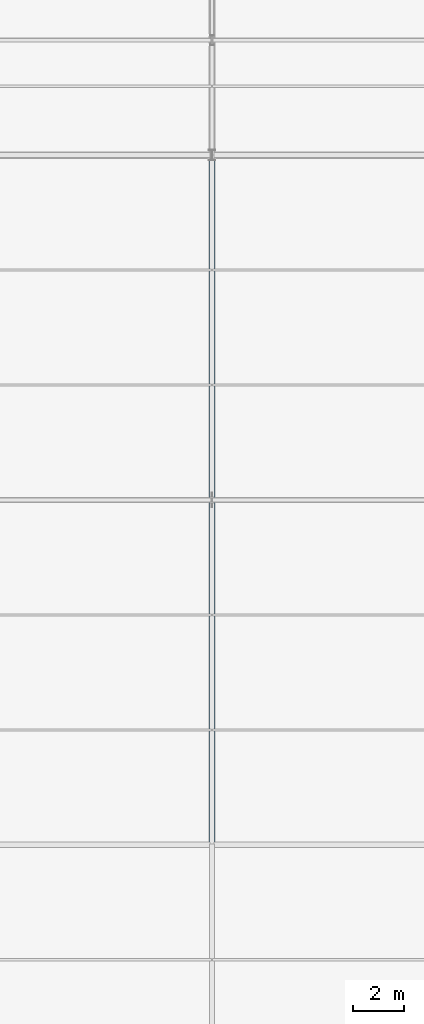
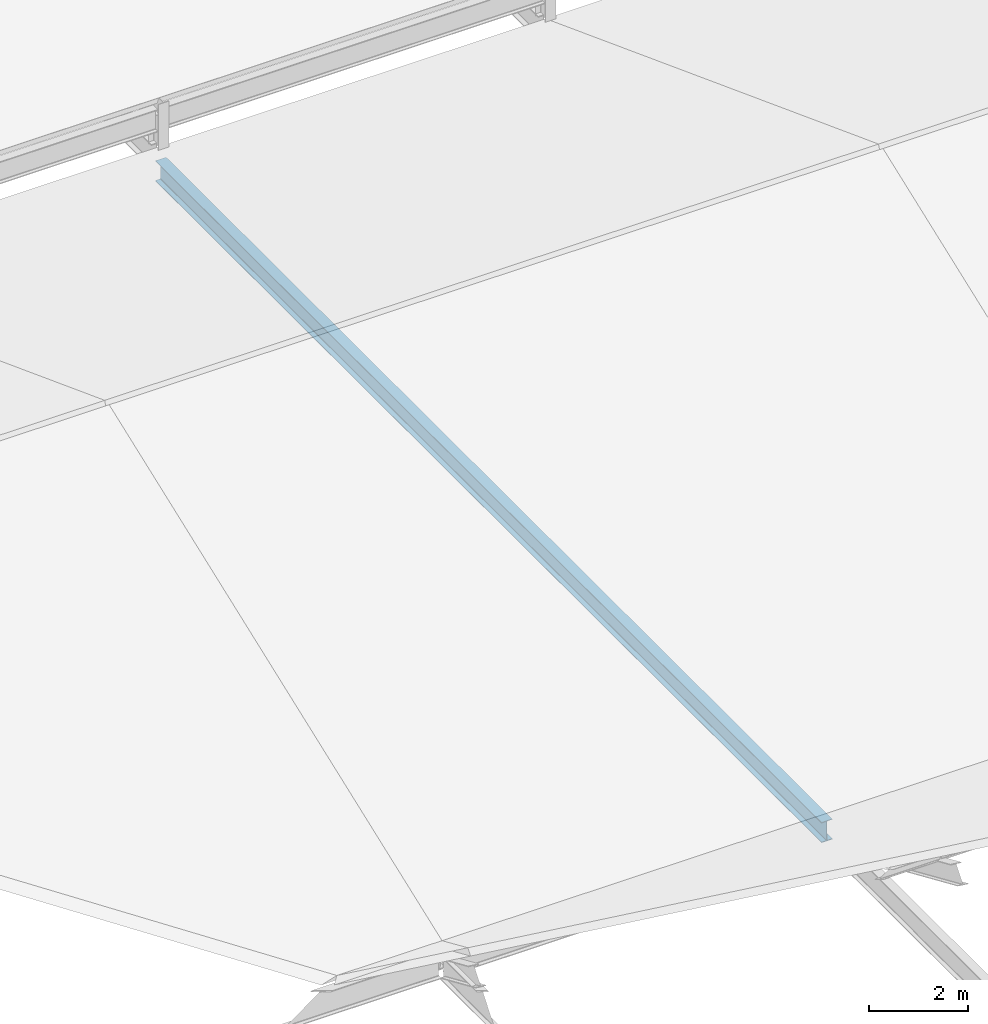
# One storey, part 42 of 163: 1 beam.
"""IFC4 building model written with IfcOpenShell, lengths in metres."""

from ifc_helpers import new_model, si_unit, direction, frame, origin, origin_2d, place, context, subcontext, project, spatial, i_section, extrude, material, material_profile, profile_set, type_object, element, save


model = new_model("IFC4")

# Units and contexts
model_context = context("Model", 3, precision=1e-05, world=origin(), true_north=direction((0.0, 1.0)))
body_context = subcontext(model_context, "Body", "Model", "MODEL_VIEW")
ifc_project = project(units=[si_unit("LENGTHUNIT", "METRE"), si_unit("AREAUNIT", "SQUARE_METRE"), si_unit("VOLUMEUNIT", "CUBIC_METRE"), si_unit("PLANEANGLEUNIT", "RADIAN"), si_unit("MASSUNIT", "GRAM", prefix="KILO")], contexts=[model_context])

# Site, building, storey
site_placement = place(None, origin())
site = spatial("IfcSite", under=ifc_project, at=site_placement, CompositionType="ELEMENT")
building_placement = place(site_placement, origin())
building = spatial("IfcBuilding", under=site, at=building_placement, Name="Tharagai Park Tramway Depot", CompositionType="ELEMENT")
storey_placement = place(building_placement, frame((0.0, 0.0, 8.39990234375)))
storey = spatial("IfcBuildingStorey", under=building, at=storey_placement, Name="L02", CompositionType="ELEMENT", Elevation=8.39990234375)

# Beam
ifc_material = material(Name="Steel E350", Category="steel")
ifc_material_profile = material_profile(ifc_material, i_section(OverallWidth=0.25, OverallDepth=0.5, WebThickness=0.010009765625, FlangeThickness=0.0146484375, FilletRadius=0.014892578125, at=origin_2d()), Name="ISWB 500")
ifc_profile_set = profile_set([ifc_material_profile], Name="Steel E350")
beam_type = type_object("IfcBeamType", Name="BM-08", PredefinedType="BEAM", material=ifc_profile_set)
beam_placement = place(storey_placement, frame((63.0, 63.080078125, -0.5), z_axis=(0.0, 1.0, 0.0), x_axis=(-1.0, 0.0, 0.0)))
element("IfcBeam", 1, at=beam_placement, inside=storey, type_object=beam_type, Name="V2B Gable Tie Girder BM-08", PredefinedType="BEAM", context=body_context, shape_type="SweptSolid", body=[
    extrude(i_section(OverallWidth=0.25, OverallDepth=0.5, WebThickness=0.010009765625, FlangeThickness=0.0146484375, FilletRadius=0.014892578125, at=origin_2d()), origin(), (0.0, 0.0, 1.0), 26.83984375),
])

save(model, "model.ifc")
